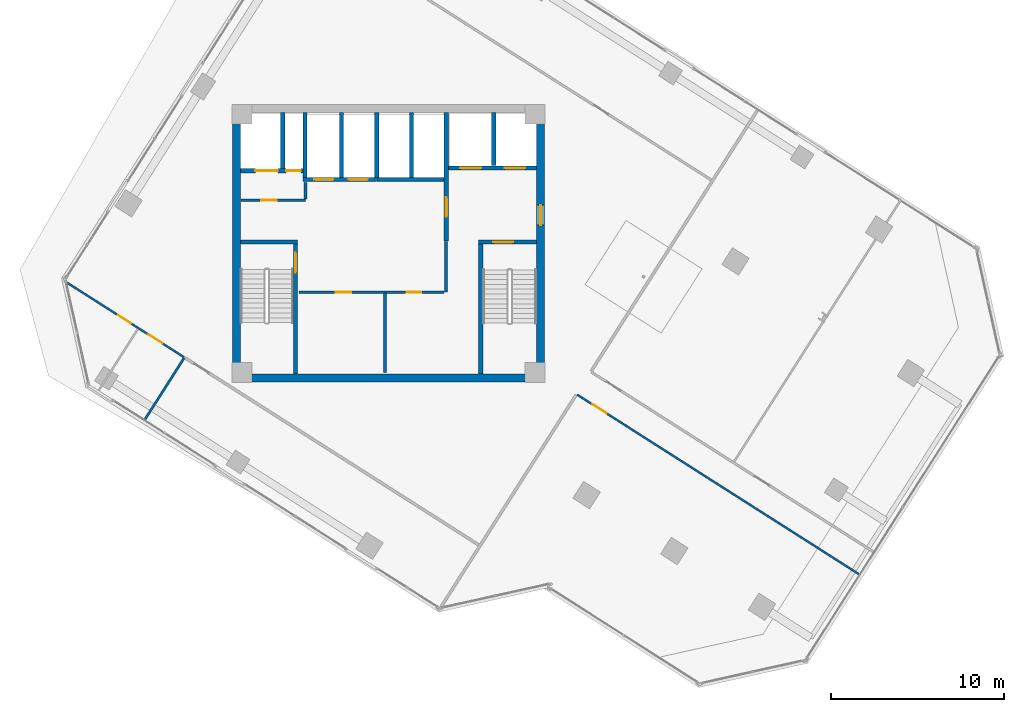
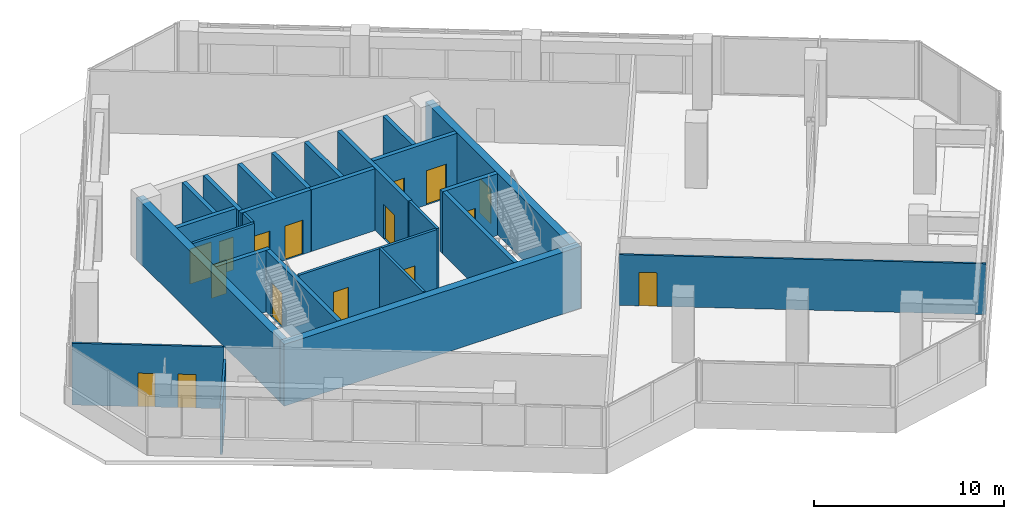
# One storey, part 18 of 23: 26 walls, 16 doors, 16 openings.
"""IFC4 building model written with IfcOpenShell, lengths in metres."""

from ifc_helpers import new_model, si_unit, direction, frame, frame_2d, origin, place, context, subcontext, project, spatial, rectangle, extrude, source, transform, mapped, material, layer, layer_set, type_object, element, fill, save


model = new_model("IFC4")

# Units and contexts
model_context = context("Model", 3, precision=1e-05, world=origin(), true_north=direction((0.0, 1.0)))
body_context = subcontext(model_context, "Body", "Model", "MODEL_VIEW")
ifc_project = project(units=[si_unit("LENGTHUNIT", "METRE"), si_unit("AREAUNIT", "SQUARE_METRE"), si_unit("VOLUMEUNIT", "CUBIC_METRE"), si_unit("PLANEANGLEUNIT", "RADIAN"), si_unit("MASSUNIT", "GRAM", prefix="KILO")], contexts=[model_context])

# Site, building, storey
site_placement = place(None, origin())
site = spatial("IfcSite", under=ifc_project, at=site_placement, CompositionType="ELEMENT")
building_placement = place(site_placement, origin())
building = spatial("IfcBuilding", under=site, at=building_placement, Name="Torre Montelarca", CompositionType="ELEMENT")
storey_placement = place(building_placement, frame((0.0, 0.0, 187.60009765625)))
storey = spatial("IfcBuildingStorey", under=building, at=storey_placement, Name="L42", CompositionType="ELEMENT", Elevation=187.60009765625)

# Wall, opening, door
ifc_material_1 = material(Name="Concrete C40/50", Category="concrete")
ifc_layer_1 = layer(ifc_material_1, 0.25, Name="Concrete C40/50", Category="concrete")
ifc_layer_set_1 = layer_set([ifc_layer_1], Name="Concrete C40/50")
wall_type_1 = type_object("IfcWallType", Name="CW-SHAFT-250", PredefinedType="SHEAR", material=ifc_layer_set_1)
wall_1_placement = place(storey_placement, frame((12.625, 24.4599609375, 0.0), z_axis=(0.0, 0.0, 1.0), x_axis=(0.0, 1.0, 0.0)))
wall_1 = element("IfcWall", 1, at=wall_1_placement, inside=storey, type_object=wall_type_1, Name="L42 Core Shear Wall SH-ST1-E", PredefinedType="SHEAR", context=body_context, shape_type="SweptSolid", body=[
    extrude(rectangle(XDim=7.489990234375, YDim=0.25, at=frame_2d((3.7451171875, 0.0))), origin(), (0.0, 0.0, 1.0), 3.9599609375),
])
opening_1_placement = place(wall_1_placement, frame((5.85009765625, 0.0, 0.0)))
opening_1 = element("IfcOpeningElement", 2, at=opening_1_placement, cuts=wall_1, Name="Opening FD-ST1", PredefinedType="OPENING", context=body_context, shape_type="SweptSolid", body=[
    extrude(rectangle(XDim=1.14990234375, YDim=2.199951171875, at=frame_2d((0.574951171875, 1.10009765625))), frame((0.0, 0.135009765625, 0.0), z_axis=(0.0, -1.0, 0.0), x_axis=(1.0, 0.0, 0.0)), (0.0, 0.0, 1.0), 0.27001953125),
])
ifc_material_2 = material(Name="Galvanized steel fire door", Category="steel")
door_type_1 = type_object("IfcDoorType", Name="DR-STAIR-115", OperationType="NOTDEFINED", PredefinedType="DOOR", material=ifc_material_2)
shared_shape_1 = source(origin(), body_context, "Body", "SweptSolid", [
    extrude(rectangle(XDim=1.14990234375, YDim=2.199951171875, at=frame_2d((0.574951171875, 1.10009765625))), frame((0.0, 0.02490234375, 0.0), z_axis=(0.0, -1.0, 0.0), x_axis=(1.0, 0.0, 0.0)), (0.0, 0.0, 1.0), 0.050048828125),
])
door_1_placement = place(opening_1_placement, origin())
door_1 = element("IfcDoor", 3, at=door_1_placement, inside=storey, type_object=door_type_1, Name="L42 Exit Stair ST1 Fire Door", OperationType="SINGLE_SWING_RIGHT", OverallHeight=2.199951171875, OverallWidth=1.14990234375, PredefinedType="DOOR", context=body_context, shape_type="MappedRepresentation", body=[
    mapped(shared_shape_1, transform((0.0, 0.0, 0.0), scale=1.0)),
])
fill(opening_1, door_1)

# Walls
wall_2_placement = place(storey_placement, frame((9.4599609375, 32.074951171875, 0.0), z_axis=(0.0, 0.0, 1.0), x_axis=(1.0, 0.0, 0.0)))
element("IfcWall", 4, at=wall_2_placement, inside=storey, type_object=wall_type_1, Name="L42 Core Shear Wall SH-ST1-N", PredefinedType="SHEAR", context=body_context, shape_type="SweptSolid", body=[
    extrude(rectangle(XDim=3.2900390625, YDim=0.25, at=frame_2d((1.64501953125, 0.0))), origin(), (0.0, 0.0, 1.0), 3.9599609375),
])
wall_3_placement = place(storey_placement, frame((23.31494140625, 24.4599609375, 0.0), z_axis=(0.0, 0.0, 1.0), x_axis=(0.0, 1.0, 0.0)))
element("IfcWall", 5, at=wall_3_placement, inside=storey, type_object=wall_type_1, Name="L42 Core Shear Wall SH-ST2-W", PredefinedType="SHEAR", context=body_context, shape_type="SweptSolid", body=[
    extrude(rectangle(XDim=7.489990234375, YDim=0.25, at=frame_2d((3.7451171875, 0.0))), origin(), (0.0, 0.0, 1.0), 3.9599609375),
])

# Wall, opening, door
wall_4_placement = place(storey_placement, frame((23.18994140625, 32.074951171875, 0.0), z_axis=(0.0, 0.0, 1.0), x_axis=(1.0, 0.0, 0.0)))
wall_4 = element("IfcWall", 6, at=wall_4_placement, inside=storey, type_object=wall_type_1, Name="L42 Core Shear Wall SH-ST2-N", PredefinedType="SHEAR", context=body_context, shape_type="SweptSolid", body=[
    extrude(rectangle(XDim=3.35009765625, YDim=0.25, at=frame_2d((1.675048828125, 0.0))), origin(), (0.0, 0.0, 1.0), 3.9599609375),
])
opening_2_placement = place(wall_4_placement, frame((0.85009765625, 0.0, 0.0)))
opening_2 = element("IfcOpeningElement", 7, at=opening_2_placement, cuts=wall_4, Name="Opening FD-ST1", PredefinedType="OPENING", context=body_context, shape_type="SweptSolid", body=[
    extrude(rectangle(XDim=1.14990234375, YDim=2.199951171875, at=frame_2d((0.574951171875, 1.10009765625))), frame((0.0, 0.135009765625, 0.0), z_axis=(0.0, -1.0, 0.0), x_axis=(1.0, 0.0, 0.0)), (0.0, 0.0, 1.0), 0.27001953125),
])
door_2_placement = place(opening_2_placement, origin())
door_2 = element("IfcDoor", 8, at=door_2_placement, inside=storey, type_object=door_type_1, Name="L42 Exit Stair ST2 Fire Door", OperationType="SINGLE_SWING_RIGHT", OverallHeight=2.199951171875, OverallWidth=1.14990234375, PredefinedType="DOOR", context=body_context, shape_type="MappedRepresentation", body=[
    mapped(shared_shape_1, transform((0.0, 0.0, 0.0), scale=1.0)),
])
fill(opening_2, door_2)

wall_5_placement = place(storey_placement, frame((21.320068359375, 32.1201171875, 0.0), z_axis=(0.0, 0.0, 1.0), x_axis=(0.0, 1.0, 0.0)))
wall_5 = element("IfcWall", 9, at=wall_5_placement, inside=storey, type_object=wall_type_1, Name="L42 Core Shear Wall SH-FFL-W", PredefinedType="SHEAR", context=body_context, shape_type="SweptSolid", body=[
    extrude(rectangle(XDim=7.419921875, YDim=0.25, at=frame_2d((3.7099609375, 0.0))), origin(), (0.0, 0.0, 1.0), 3.9599609375),
])
opening_3_placement = place(wall_5_placement, frame((1.39990234375, 0.0, 0.0)))
opening_3 = element("IfcOpeningElement", 10, at=opening_3_placement, cuts=wall_5, Name="Opening FD-LB1", PredefinedType="OPENING", context=body_context, shape_type="SweptSolid", body=[
    extrude(rectangle(XDim=1.14990234375, YDim=2.199951171875, at=frame_2d((0.574951171875, 1.10009765625))), frame((0.0, 0.135009765625, 0.0), z_axis=(0.0, -1.0, 0.0), x_axis=(1.0, 0.0, 0.0)), (0.0, 0.0, 1.0), 0.27001953125),
])
ifc_material_3 = material(Name="Acoustic timber-veneered fire door", Category="wood")
door_type_2 = type_object("IfcDoorType", Name="DR-LOBBY-115", OperationType="NOTDEFINED", PredefinedType="DOOR", material=ifc_material_3)
shared_shape_2 = source(origin(), body_context, "Body", "SweptSolid", [
    extrude(rectangle(XDim=1.14990234375, YDim=2.199951171875, at=frame_2d((0.574951171875, 1.10009765625))), frame((0.0, 0.02490234375, 0.0), z_axis=(0.0, -1.0, 0.0), x_axis=(1.0, 0.0, 0.0)), (0.0, 0.0, 1.0), 0.050048828125),
])
door_3_placement = place(opening_3_placement, origin())
door_3 = element("IfcDoor", 11, at=door_3_placement, inside=storey, type_object=door_type_2, Name="L42 Lift Lobby to Firefighting Lobby Smoke Door", OperationType="SINGLE_SWING_LEFT", OverallHeight=2.199951171875, OverallWidth=1.14990234375, PredefinedType="DOOR", context=body_context, shape_type="MappedRepresentation", body=[
    mapped(shared_shape_2, transform((0.0, 0.0, 0.0), scale=1.0)),
])
fill(opening_3, door_3)

# Wall, openings, doors
wall_6_placement = place(storey_placement, frame((9.4599609375, 36.179931640625, 0.0), z_axis=(0.0, 0.0, 1.0), x_axis=(1.0, 0.0, 0.0)))
wall_6 = element("IfcWall", 12, at=wall_6_placement, inside=storey, type_object=wall_type_1, Name="L42 Core Shear Wall SH-SV1-S", PredefinedType="SHEAR", context=body_context, shape_type="SweptSolid", body=[
    extrude(rectangle(XDim=3.7900390625, YDim=0.25, at=frame_2d((1.89501953125, 0.0))), origin(), (0.0, 0.0, 1.0), 3.9599609375),
])
opening_4_placement = place(wall_6_placement, frame((2.6201171875, 0.0, 0.0)))
opening_4 = element("IfcOpeningElement", 13, at=opening_4_placement, cuts=wall_6, Name="Opening FD-085", PredefinedType="OPENING", context=body_context, shape_type="SweptSolid", body=[
    extrude(rectangle(XDim=0.85009765625, YDim=2.10009765625, at=frame_2d((0.425048828125, 1.050048828125))), frame((0.0, 0.135009765625, 0.0), z_axis=(0.0, -1.0, 0.0), x_axis=(1.0, 0.0, 0.0)), (0.0, 0.0, 1.0), 0.27001953125),
])
opening_5_placement = place(wall_6_placement, frame((0.85009765625, 0.0, 0.0)))
opening_5 = element("IfcOpeningElement", 14, at=opening_5_placement, cuts=wall_6, Name="Opening LD-130", PredefinedType="OPENING", context=body_context, shape_type="SweptSolid", body=[
    extrude(rectangle(XDim=1.300048828125, YDim=2.25, at=frame_2d((0.64990234375, 1.125))), frame((0.0, 0.135009765625, 0.0), z_axis=(0.0, -1.0, 0.0), x_axis=(1.0, 0.0, 0.0)), (0.0, 0.0, 1.0), 0.27001953125),
])
ifc_material_4 = material(Name="Steel riser access fire door", Category="steel")
door_type_3 = type_object("IfcDoorType", Name="DR-RISER-085", OperationType="NOTDEFINED", PredefinedType="DOOR", material=ifc_material_4)
shared_shape_3 = source(origin(), body_context, "Body", "SweptSolid", [
    extrude(rectangle(XDim=0.85009765625, YDim=2.10009765625, at=frame_2d((0.425048828125, 1.050048828125))), frame((0.0, 0.02490234375, 0.0), z_axis=(0.0, -1.0, 0.0), x_axis=(1.0, 0.0, 0.0)), (0.0, 0.0, 1.0), 0.050048828125),
])
door_4_placement = place(opening_4_placement, origin())
door_4 = element("IfcDoor", 15, at=door_4_placement, inside=storey, type_object=door_type_3, Name="L42 Electrical Riser Shaft Access Door", OperationType="SINGLE_SWING_RIGHT", OverallHeight=2.10009765625, OverallWidth=0.85009765625, PredefinedType="DOOR", context=body_context, shape_type="MappedRepresentation", body=[
    mapped(shared_shape_3, transform((0.0, 0.0, 0.0), scale=1.0)),
])
fill(opening_4, door_4)
ifc_material_5 = material(Name="Brushed stainless steel AISI 316", Category="steel")
door_type_4 = type_object("IfcDoorType", Name="DR-LIFT-130", OperationType="SLIDING_TO_LEFT", PredefinedType="DOOR", material=ifc_material_5)
shared_shape_4 = source(origin(), body_context, "Body", "SweptSolid", [
    extrude(rectangle(XDim=1.300048828125, YDim=2.25, at=frame_2d((0.64990234375, 1.125))), frame((0.0, 0.02490234375, 0.0), z_axis=(0.0, -1.0, 0.0), x_axis=(1.0, 0.0, 0.0)), (0.0, 0.0, 1.0), 0.050048828125),
])
door_5_placement = place(opening_5_placement, origin())
door_5 = element("IfcDoor", 16, at=door_5_placement, inside=storey, type_object=door_type_4, Name="L42 Lift Landing Sliding Door SV-1", OperationType="SLIDING_TO_LEFT", OverallHeight=2.25, OverallWidth=1.300048828125, PredefinedType="DOOR", context=body_context, shape_type="MappedRepresentation", body=[
    mapped(shared_shape_4, transform((0.0, 0.0, 0.0), scale=1.0)),
])
fill(opening_5, door_5)

# Wall
wall_7_placement = place(storey_placement, frame((11.89990234375, 36.31005859375, 0.0), z_axis=(0.0, 0.0, 1.0), x_axis=(0.0, 1.0, 0.0)))
element("IfcWall", 17, at=wall_7_placement, inside=storey, type_object=wall_type_1, Name="L42 Core Shear Wall SH-SV1-E", PredefinedType="SHEAR", context=body_context, shape_type="SweptSolid", body=[
    extrude(rectangle(XDim=3.22998046875, YDim=0.25, at=frame_2d((1.614990234375, 0.0))), origin(), (0.0, 0.0, 1.0), 3.9599609375),
])

# Wall, openings, doors
wall_8_placement = place(storey_placement, frame((21.449951171875, 36.35009765625, 0.0), z_axis=(0.0, 0.0, 1.0), x_axis=(1.0, 0.0, 0.0)))
wall_8 = element("IfcWall", 18, at=wall_8_placement, inside=storey, type_object=wall_type_1, Name="L42 Core Shear Wall SH-FF-S", PredefinedType="SHEAR", context=body_context, shape_type="SweptSolid", body=[
    extrude(rectangle(XDim=5.090087890625, YDim=0.25, at=frame_2d((2.544921875, 0.0))), origin(), (0.0, 0.0, 1.0), 3.9599609375),
])
opening_6_placement = place(wall_8_placement, frame((0.699951171875, 0.0, 0.0)))
opening_6 = element("IfcOpeningElement", 19, at=opening_6_placement, cuts=wall_8, Name="Opening LD-120", PredefinedType="OPENING", context=body_context, shape_type="SweptSolid", body=[
    extrude(rectangle(XDim=1.199951171875, YDim=2.199951171875, at=frame_2d((0.60009765625, 1.10009765625))), frame((0.0, 0.135009765625, 0.0), z_axis=(0.0, -1.0, 0.0), x_axis=(1.0, 0.0, 0.0)), (0.0, 0.0, 1.0), 0.27001953125),
])
opening_7_placement = place(wall_8_placement, frame((3.25, 0.0, 0.0)))
opening_7 = element("IfcOpeningElement", 20, at=opening_7_placement, cuts=wall_8, Name="Opening LD-120", PredefinedType="OPENING", context=body_context, shape_type="SweptSolid", body=[
    extrude(rectangle(XDim=1.199951171875, YDim=2.199951171875, at=frame_2d((0.60009765625, 1.10009765625))), frame((0.0, 0.135009765625, 0.0), z_axis=(0.0, -1.0, 0.0), x_axis=(1.0, 0.0, 0.0)), (0.0, 0.0, 1.0), 0.27001953125),
])
door_type_5 = type_object("IfcDoorType", Name="DR-LIFT-120", OperationType="SLIDING_TO_RIGHT", PredefinedType="DOOR", material=ifc_material_5)
shared_shape_5 = source(origin(), body_context, "Body", "SweptSolid", [
    extrude(rectangle(XDim=1.199951171875, YDim=2.199951171875, at=frame_2d((0.60009765625, 1.10009765625))), frame((0.0, 0.02490234375, 0.0), z_axis=(0.0, -1.0, 0.0), x_axis=(1.0, 0.0, 0.0)), (0.0, 0.0, 1.0), 0.050048828125),
])
door_6_placement = place(opening_6_placement, origin())
door_6 = element("IfcDoor", 21, at=door_6_placement, inside=storey, type_object=door_type_5, Name="L42 Lift Landing Sliding Door FF-1", OperationType="SLIDING_TO_LEFT", OverallHeight=2.199951171875, OverallWidth=1.199951171875, PredefinedType="DOOR", context=body_context, shape_type="MappedRepresentation", body=[
    mapped(shared_shape_5, transform((0.0, 0.0, 0.0), scale=1.0)),
])
fill(opening_6, door_6)
door_7_placement = place(opening_7_placement, origin())
door_7 = element("IfcDoor", 22, at=door_7_placement, inside=storey, type_object=door_type_5, Name="L42 Lift Landing Sliding Door FF-2", OperationType="SLIDING_TO_RIGHT", OverallHeight=2.199951171875, OverallWidth=1.199951171875, PredefinedType="DOOR", context=body_context, shape_type="MappedRepresentation", body=[
    mapped(shared_shape_5, transform((0.0, 0.0, 0.0), scale=1.0)),
])
fill(opening_7, door_7)

# Wall
wall_9_placement = place(storey_placement, frame((24.080078125, 36.47998046875, 0.0), z_axis=(0.0, 0.0, 1.0), x_axis=(0.0, 1.0, 0.0)))
element("IfcWall", 23, at=wall_9_placement, inside=storey, type_object=wall_type_1, Name="L42 Core Shear Wall SH-FF-M", PredefinedType="SHEAR", context=body_context, shape_type="SweptSolid", body=[
    extrude(rectangle(XDim=3.06005859375, YDim=0.25, at=frame_2d((1.530029296875, 0.0))), origin(), (0.0, 0.0, 1.0), 3.9599609375),
])

# Wall, openings, doors
wall_10_placement = place(storey_placement, frame((13.06005859375, 35.679931640625, 0.0), z_axis=(0.0, 0.0, 1.0), x_axis=(1.0, 0.0, 0.0)))
wall_10 = element("IfcWall", 24, at=wall_10_placement, inside=storey, type_object=wall_type_1, Name="L42 Core Shear Wall SH-PLM-S", PredefinedType="SHEAR", context=body_context, shape_type="SweptSolid", body=[
    extrude(rectangle(XDim=4.25, YDim=0.25, at=frame_2d((2.125, 0.0))), origin(), (0.0, 0.0, 1.0), 3.9599609375),
])
opening_8_placement = place(wall_10_placement, frame((0.64990234375, 0.0, 0.0)))
opening_8 = element("IfcOpeningElement", 25, at=opening_8_placement, cuts=wall_10, Name="Opening LD-110", PredefinedType="OPENING", context=body_context, shape_type="SweptSolid", body=[
    extrude(rectangle(XDim=1.10009765625, YDim=2.199951171875, at=frame_2d((0.550048828125, 1.10009765625))), frame((0.0, 0.135009765625, 0.0), z_axis=(0.0, -1.0, 0.0), x_axis=(1.0, 0.0, 0.0)), (0.0, 0.0, 1.0), 0.27001953125),
])
opening_9_placement = place(wall_10_placement, frame((2.64990234375, 0.0, 0.0)))
opening_9 = element("IfcOpeningElement", 26, at=opening_9_placement, cuts=wall_10, Name="Opening LD-110", PredefinedType="OPENING", context=body_context, shape_type="SweptSolid", body=[
    extrude(rectangle(XDim=1.10009765625, YDim=2.199951171875, at=frame_2d((0.550048828125, 1.10009765625))), frame((0.0, 0.135009765625, 0.0), z_axis=(0.0, -1.0, 0.0), x_axis=(1.0, 0.0, 0.0)), (0.0, 0.0, 1.0), 0.27001953125),
])
door_type_6 = type_object("IfcDoorType", Name="DR-LIFT-110", OperationType="SLIDING_TO_LEFT", PredefinedType="DOOR", material=ifc_material_5)
shared_shape_6 = source(origin(), body_context, "Body", "SweptSolid", [
    extrude(rectangle(XDim=1.10009765625, YDim=2.199951171875, at=frame_2d((0.550048828125, 1.10009765625))), frame((0.0, 0.02490234375, 0.0), z_axis=(0.0, -1.0, 0.0), x_axis=(1.0, 0.0, 0.0)), (0.0, 0.0, 1.0), 0.050048828125),
])
door_8_placement = place(opening_8_placement, origin())
door_8 = element("IfcDoor", 27, at=door_8_placement, inside=storey, type_object=door_type_6, Name="L42 Lift Landing Sliding Door PL-M1", OperationType="SLIDING_TO_LEFT", OverallHeight=2.199951171875, OverallWidth=1.10009765625, PredefinedType="DOOR", context=body_context, shape_type="MappedRepresentation", body=[
    mapped(shared_shape_6, transform((0.0, 0.0, 0.0), scale=1.0)),
])
fill(opening_8, door_8)
door_9_placement = place(opening_9_placement, origin())
door_9 = element("IfcDoor", 28, at=door_9_placement, inside=storey, type_object=door_type_6, Name="L42 Lift Landing Sliding Door PL-M2", OperationType="SLIDING_TO_RIGHT", OverallHeight=2.199951171875, OverallWidth=1.10009765625, PredefinedType="DOOR", context=body_context, shape_type="MappedRepresentation", body=[
    mapped(shared_shape_6, transform((0.0, 0.0, 0.0), scale=1.0)),
])
fill(opening_9, door_9)

# Walls
for number, where, z_axis, x_axis, name in (
    (29, (13.179931640625, 35.81005859375, 0.0), (0.0, 0.0, 1.0), (0.0, 1.0, 0.0), "L42 Core Shear Wall SH-PLM-W"),
    (30, (15.280029296875, 35.81005859375, 0.0), (0.0, 0.0, 1.0), (0.0, 1.0, 0.0), "L42 Core Shear Wall SH-PLM-M"),
):
    element("IfcWall", number, at=place(storey_placement, frame(where, z_axis=z_axis, x_axis=x_axis)), inside=storey, type_object=wall_type_1, Name=name, PredefinedType="SHEAR", context=body_context, shape_type="SweptSolid", body=[
        extrude(rectangle(XDim=3.72998046875, YDim=0.25, at=frame_2d((1.864990234375, 0.0))), origin(), (0.0, 0.0, 1.0), 3.9599609375),
    ])
wall_11_placement = place(storey_placement, frame((17.320068359375, 35.679931640625, 0.0), z_axis=(0.0, 0.0, 1.0), x_axis=(1.0, 0.0, 0.0)))
element("IfcWall", 31, at=wall_11_placement, inside=storey, type_object=wall_type_1, Name="L42 Core Shear Wall SH-PLH-S", PredefinedType="SHEAR", context=body_context, shape_type="SweptSolid", body=[
    extrude(rectangle(XDim=3.869873046875, YDim=0.25, at=frame_2d((1.93505859375, 0.0))), origin(), (0.0, 0.0, 1.0), 3.9599609375),
])
for number, where, z_axis, x_axis, name in (
    (32, (17.320068359375, 35.81005859375, 0.0), (0.0, 0.0, 1.0), (0.0, 1.0, 0.0), "L42 Core Shear Wall SH-PLH-W"),
    (33, (19.320068359375, 35.81005859375, 0.0), (0.0, 0.0, 1.0), (0.0, 1.0, 0.0), "L42 Core Shear Wall SH-PLH-M"),
):
    element("IfcWall", number, at=place(storey_placement, frame(where, z_axis=z_axis, x_axis=x_axis)), inside=storey, type_object=wall_type_1, Name=name, PredefinedType="SHEAR", context=body_context, shape_type="SweptSolid", body=[
        extrude(rectangle(XDim=3.72998046875, YDim=0.25, at=frame_2d((1.864990234375, 0.0))), origin(), (0.0, 0.0, 1.0), 3.9599609375),
    ])
ifc_material_6 = material(Name="Concrete C55/67", Category="concrete")
ifc_layer_2 = layer(ifc_material_6, 0.449951171875, Name="Concrete C55/67", Category="concrete")
ifc_layer_set_2 = layer_set([ifc_layer_2], Name="Concrete C55/67")
wall_type_2 = type_object("IfcWallType", Name="CW-SHEAR-450", PredefinedType="SHEAR", material=ifc_layer_set_2)
wall_12_placement = place(storey_placement, frame((9.22509765625, 24.449951171875, 0.0), z_axis=(0.0, 0.0, 1.0), x_axis=(0.0, 1.0, 0.0)))
element("IfcWall", 34, at=wall_12_placement, inside=storey, type_object=wall_type_2, Name="L42 Core Shear Wall CW-W", PredefinedType="SHEAR", context=body_context, shape_type="SweptSolid", body=[
    extrude(rectangle(XDim=15.10009765625, YDim=0.449951171875, at=frame_2d((7.550048828125, 0.0))), origin(), (0.0, 0.0, 1.0), 3.9599609375),
])

# Wall, opening, door
wall_13_placement = place(storey_placement, frame((26.77490234375, 24.449951171875, 0.0), z_axis=(0.0, 0.0, 1.0), x_axis=(0.0, 1.0, 0.0)))
wall_13 = element("IfcWall", 35, at=wall_13_placement, inside=storey, type_object=wall_type_2, Name="L42 Core Shear Wall CW-E", PredefinedType="SHEAR", context=body_context, shape_type="SweptSolid", body=[
    extrude(rectangle(XDim=15.10009765625, YDim=0.449951171875, at=frame_2d((7.550048828125, 0.0))), origin(), (0.0, 0.0, 1.0), 3.9599609375),
])
opening_10_placement = place(wall_13_placement, frame((8.60009765625, 0.0, 0.0)))
opening_10 = element("IfcOpeningElement", 36, at=opening_10_placement, cuts=wall_13, Name="Opening FD-LB1", PredefinedType="OPENING", context=body_context, shape_type="SweptSolid", body=[
    extrude(rectangle(XDim=1.14990234375, YDim=2.199951171875, at=frame_2d((0.574951171875, 1.10009765625))), frame((0.0, 0.23486328125, 0.0), z_axis=(0.0, -1.0, 0.0), x_axis=(1.0, 0.0, 0.0)), (0.0, 0.0, 1.0), 0.469970703125),
])
door_10_placement = place(opening_10_placement, origin())
door_10 = element("IfcDoor", 37, at=door_10_placement, inside=storey, type_object=door_type_2, Name="L42 Firefighting Lift Lobby Corridor Fire Door", OperationType="SINGLE_SWING_RIGHT", OverallHeight=2.199951171875, OverallWidth=1.14990234375, PredefinedType="DOOR", context=body_context, shape_type="MappedRepresentation", body=[
    mapped(shared_shape_2, transform((0.0, 0.0, 0.0), scale=1.0)),
])
fill(opening_10, door_10)

# Wall
wall_14_placement = place(storey_placement, frame((9.0, 24.22509765625, 0.0), z_axis=(0.0, 0.0, 1.0), x_axis=(1.0, 0.0, 0.0)))
element("IfcWall", 38, at=wall_14_placement, inside=storey, type_object=wall_type_2, Name="L42 Core Shear Wall CW-S1", PredefinedType="SHEAR", context=body_context, shape_type="SweptSolid", body=[
    extrude(rectangle(XDim=18.0, YDim=0.449951171875, at=frame_2d((9.0, 0.0))), origin(), (0.0, 0.0, 1.0), 3.9599609375),
])

# Wall, opening, door
ifc_material_7 = material(Name="Gypsum plasterboard on steel stud", Category="steel")
ifc_layer_3 = layer(ifc_material_7, 0.159912109375, Name="Gypsum plasterboard on steel stud", Category="steel")
ifc_layer_set_3 = layer_set([ifc_layer_3], Name="Gypsum plasterboard on steel stud")
wall_type_3 = type_object("IfcWallType", Name="PW-FIRE-160", PredefinedType="PARTITIONING", material=ifc_layer_set_3)
wall_15_placement = place(storey_placement, frame((9.489990234375, 34.47998046875, 0.0), z_axis=(0.0, 0.0, 1.0), x_axis=(1.0, 0.0, 0.0)))
wall_15 = element("IfcWall", 39, at=wall_15_placement, inside=storey, type_object=wall_type_3, Name="L42 Interior Partition CW-L42-SVS", PredefinedType="PARTITIONING", context=body_context, shape_type="SweptSolid", body=[
    extrude(rectangle(XDim=3.699951171875, YDim=0.159912109375, at=frame_2d((1.85009765625, 0.0))), origin(), (0.0, 0.0, 1.0), 3.9599609375),
])
opening_11_placement = place(wall_15_placement, frame((1.14990234375, 0.0, 0.0)))
opening_11 = element("IfcOpeningElement", 40, at=opening_11_placement, cuts=wall_15, Name="Opening FD-090", PredefinedType="OPENING", context=body_context, shape_type="SweptSolid", body=[
    extrude(rectangle(XDim=0.89990234375, YDim=2.14990234375, at=frame_2d((0.449951171875, 1.074951171875))), frame((0.0, 0.08984375, 0.0), z_axis=(0.0, -1.0, 0.0), x_axis=(1.0, 0.0, 0.0)), (0.0, 0.0, 1.0), 0.179931640625),
])
ifc_material_8 = material(Name="Steel service fire door", Category="steel")
door_type_7 = type_object("IfcDoorType", Name="DR-FIRE-090", OperationType="NOTDEFINED", PredefinedType="DOOR", material=ifc_material_8)
shared_shape_7 = source(origin(), body_context, "Body", "SweptSolid", [
    extrude(rectangle(XDim=0.89990234375, YDim=2.14990234375, at=frame_2d((0.449951171875, 1.074951171875))), frame((0.0, 0.02490234375, 0.0), z_axis=(0.0, -1.0, 0.0), x_axis=(1.0, 0.0, 0.0)), (0.0, 0.0, 1.0), 0.050048828125),
])
door_11_placement = place(opening_11_placement, origin())
door_11 = element("IfcDoor", 41, at=door_11_placement, inside=storey, type_object=door_type_7, Name="L42 Interior Door 01", OperationType="SINGLE_SWING_RIGHT", OverallHeight=2.14990234375, OverallWidth=0.89990234375, PredefinedType="DOOR", context=body_context, shape_type="MappedRepresentation", body=[
    mapped(shared_shape_7, transform((0.0, 0.0, 0.0), scale=1.0)),
])
fill(opening_11, door_11)

# Wall
wall_16_placement = place(storey_placement, frame((13.199951171875, 34.570068359375, 0.0), z_axis=(0.0, 0.0, 1.0), x_axis=(0.0, 1.0, 0.0)))
element("IfcWall", 42, at=wall_16_placement, inside=storey, type_object=wall_type_3, Name="L42 Interior Partition CW-L42-SVE", PredefinedType="PARTITIONING", context=body_context, shape_type="SweptSolid", body=[
    extrude(rectangle(XDim=0.93994140625, YDim=0.159912109375, at=frame_2d((0.469970703125, 0.0))), origin(), (0.0, 0.0, 1.0), 3.9599609375),
])

# Wall, openings, doors
wall_17_placement = place(storey_placement, frame((12.840087890625, 29.179931640625, 0.0), z_axis=(0.0, 0.0, 1.0), x_axis=(1.0, 0.0, 0.0)))
wall_17 = element("IfcWall", 43, at=wall_17_placement, inside=storey, type_object=wall_type_3, Name="L42 Interior Partition CW-L42-FRDN", PredefinedType="PARTITIONING", context=body_context, shape_type="SweptSolid", body=[
    extrude(rectangle(XDim=8.369873046875, YDim=0.159912109375, at=frame_2d((4.18505859375, 0.0))), origin(), (0.0, 0.0, 1.0), 3.9599609375),
])
opening_12_placement = place(wall_17_placement, frame((2.10009765625, 0.0, 0.0)))
opening_12 = element("IfcOpeningElement", 44, at=opening_12_placement, cuts=wall_17, Name="Opening FD-090", PredefinedType="OPENING", context=body_context, shape_type="SweptSolid", body=[
    extrude(rectangle(XDim=0.89990234375, YDim=2.14990234375, at=frame_2d((0.449951171875, 1.074951171875))), frame((0.0, 0.08984375, 0.0), z_axis=(0.0, -1.0, 0.0), x_axis=(1.0, 0.0, 0.0)), (0.0, 0.0, 1.0), 0.179931640625),
])
opening_13_placement = place(wall_17_placement, frame((6.199951171875, 0.0, 0.0)))
opening_13 = element("IfcOpeningElement", 45, at=opening_13_placement, cuts=wall_17, Name="Opening FD-085", PredefinedType="OPENING", context=body_context, shape_type="SweptSolid", body=[
    extrude(rectangle(XDim=0.85009765625, YDim=2.10009765625, at=frame_2d((0.425048828125, 1.050048828125))), frame((0.0, 0.08984375, 0.0), z_axis=(0.0, -1.0, 0.0), x_axis=(1.0, 0.0, 0.0)), (0.0, 0.0, 1.0), 0.179931640625),
])
door_12_placement = place(opening_13_placement, origin())
door_12 = element("IfcDoor", 46, at=door_12_placement, inside=storey, type_object=door_type_3, Name="L42 Interior Door 03", OperationType="SINGLE_SWING_LEFT", OverallHeight=2.10009765625, OverallWidth=0.85009765625, PredefinedType="DOOR", context=body_context, shape_type="MappedRepresentation", body=[
    mapped(shared_shape_3, transform((0.0, 0.0, 0.0), scale=1.0)),
])
fill(opening_13, door_12)
door_13_placement = place(opening_12_placement, origin())
door_13 = element("IfcDoor", 47, at=door_13_placement, inside=storey, type_object=door_type_7, Name="L42 Interior Door 02", OperationType="SINGLE_SWING_RIGHT", OverallHeight=2.14990234375, OverallWidth=0.89990234375, PredefinedType="DOOR", context=body_context, shape_type="MappedRepresentation", body=[
    mapped(shared_shape_7, transform((0.0, 0.0, 0.0), scale=1.0)),
])
fill(opening_12, door_13)

# Walls
wall_18_placement = place(storey_placement, frame((17.800048828125, 24.5400390625, 0.0), z_axis=(0.0, 0.0, 1.0), x_axis=(0.0, 1.0, 0.0)))
element("IfcWall", 48, at=wall_18_placement, inside=storey, type_object=wall_type_3, Name="L42 Interior Partition CW-L42-FRD1", PredefinedType="PARTITIONING", context=body_context, shape_type="SweptSolid", body=[
    extrude(rectangle(XDim=4.599853515625, YDim=0.159912109375, at=frame_2d((2.2998046875, 0.0))), origin(), (0.0, 0.0, 1.0), 3.9599609375),
])
wall_19_placement = place(storey_placement, frame((21.320068359375, 29.18994140625, 0.0), z_axis=(0.0, 0.0, 1.0), x_axis=(0.0, 1.0, 0.0)))
element("IfcWall", 49, at=wall_19_placement, inside=storey, type_object=wall_type_3, Name="L42 Interior Partition CW-L42-FRE", PredefinedType="PARTITIONING", context=body_context, shape_type="SweptSolid", body=[
    extrude(rectangle(XDim=2.920166015625, YDim=0.159912109375, at=frame_2d((1.4599609375, 0.0))), origin(), (0.0, 0.0, 1.0), 3.9599609375),
])

# Wall, openings, doors
ifc_layer_4 = layer(ifc_material_7, 0.114990234375, Name="Gypsum plasterboard on steel stud", Category="steel")
ifc_layer_set_4 = layer_set([ifc_layer_4], Name="Gypsum plasterboard on steel stud")
wall_type_4 = type_object("IfcWallType", Name="PW-PART-115", PredefinedType="PARTITIONING", material=ifc_layer_set_4)
wall_20_placement = place(storey_placement, frame((-0.56689453125, 29.731201171875, 0.0), z_axis=(0.0, 0.0, 1.0), x_axis=(0.843398817975, -0.537288036195, 0.0)))
wall_20 = element("IfcWall", 50, at=wall_20_placement, inside=storey, type_object=wall_type_4, Name="L42 Interior Partition W-L42-WCN", PredefinedType="PARTITIONING", context=body_context, shape_type="SweptSolid", body=[
    extrude(rectangle(XDim=8.001953125, YDim=0.114990234375, at=frame_2d((4.0009765625, 0.0))), origin(), (0.0, 0.0, 1.0), 3.9599609375),
])
opening_14_placement = place(wall_20_placement, frame((3.47998046875, 0.0, 0.0)))
opening_14 = element("IfcOpeningElement", 51, at=opening_14_placement, cuts=wall_20, Name="Opening ID-090", PredefinedType="OPENING", context=body_context, shape_type="SweptSolid", body=[
    extrude(rectangle(XDim=0.89990234375, YDim=2.14990234375, at=frame_2d((0.449951171875, 1.074951171875))), frame((0.0, 0.0673828125, 0.0), z_axis=(0.0, -1.0, 0.0), x_axis=(1.0, 0.0, 0.0)), (0.0, 0.0, 1.0), 0.135009765625),
])
opening_15_placement = place(wall_20_placement, frame((5.580078125, 0.0, 0.0)))
opening_15 = element("IfcOpeningElement", 52, at=opening_15_placement, cuts=wall_20, Name="Opening ID-095", PredefinedType="OPENING", context=body_context, shape_type="SweptSolid", body=[
    extrude(rectangle(XDim=0.949951171875, YDim=2.14990234375, at=frame_2d((0.47509765625, 1.074951171875))), frame((0.0, 0.0673828125, 0.0), z_axis=(0.0, -1.0, 0.0), x_axis=(1.0, 0.0, 0.0)), (0.0, 0.0, 1.0), 0.135009765625),
])
ifc_material_9 = material(Name="Hardwood acoustic timber veneer", Category="wood")
door_type_8 = type_object("IfcDoorType", Name="DR-INT-090", OperationType="NOTDEFINED", PredefinedType="DOOR", material=ifc_material_9)
shared_shape_8 = source(origin(), body_context, "Body", "SweptSolid", [
    extrude(rectangle(XDim=0.89990234375, YDim=2.14990234375, at=frame_2d((0.449951171875, 1.074951171875))), frame((0.0, 0.02490234375, 0.0), z_axis=(0.0, -1.0, 0.0), x_axis=(1.0, 0.0, 0.0)), (0.0, 0.0, 1.0), 0.050048828125),
])
door_14_placement = place(opening_14_placement, origin())
door_14 = element("IfcDoor", 53, at=door_14_placement, inside=storey, type_object=door_type_8, Name="L42 Interior Door 04", OperationType="SINGLE_SWING_LEFT", OverallHeight=2.14990234375, OverallWidth=0.89990234375, PredefinedType="DOOR", context=body_context, shape_type="MappedRepresentation", body=[
    mapped(shared_shape_8, transform((0.0, 0.0, 0.0), scale=1.0)),
])
fill(opening_14, door_14)
door_type_9 = type_object("IfcDoorType", Name="DR-INT-095", OperationType="NOTDEFINED", PredefinedType="DOOR", material=ifc_material_9)
shared_shape_9 = source(origin(), body_context, "Body", "SweptSolid", [
    extrude(rectangle(XDim=0.949951171875, YDim=2.14990234375, at=frame_2d((0.47509765625, 1.074951171875))), frame((0.0, 0.02490234375, 0.0), z_axis=(0.0, -1.0, 0.0), x_axis=(1.0, 0.0, 0.0)), (0.0, 0.0, 1.0), 0.050048828125),
])
door_15_placement = place(opening_15_placement, origin())
door_15 = element("IfcDoor", 54, at=door_15_placement, inside=storey, type_object=door_type_9, Name="L42 Interior Door 05", OperationType="SINGLE_SWING_RIGHT", OverallHeight=2.14990234375, OverallWidth=0.949951171875, PredefinedType="DOOR", context=body_context, shape_type="MappedRepresentation", body=[
    mapped(shared_shape_9, transform((0.0, 0.0, 0.0), scale=1.0)),
])
fill(opening_15, door_15)

# Wall, opening, door
wall_21_placement = place(storey_placement, frame((28.883056640625, 23.26513671875, 0.0), z_axis=(0.0, 0.0, 1.0), x_axis=(0.843390003721, -0.537301871971, 0.0)))
wall_21 = element("IfcWall", 55, at=wall_21_placement, inside=storey, type_object=wall_type_4, Name="L42 Interior Partition W-L42-SE-N", PredefinedType="PARTITIONING", context=body_context, shape_type="SweptSolid", body=[
    extrude(rectangle(XDim=19.2998046875, YDim=0.114990234375, at=frame_2d((9.64990234375, 0.0))), origin(), (0.0, 0.0, 1.0), 3.25244140625),
])
opening_16_placement = place(wall_21_placement, frame((1.050048828125, 0.0, 0.0)))
opening_16 = element("IfcOpeningElement", 56, at=opening_16_placement, cuts=wall_21, Name="Opening ID-095", PredefinedType="OPENING", context=body_context, shape_type="SweptSolid", body=[
    extrude(rectangle(XDim=0.949951171875, YDim=2.14990234375, at=frame_2d((0.47509765625, 1.074951171875))), frame((0.0, 0.0673828125, 0.0), z_axis=(0.0, -1.0, 0.0), x_axis=(1.0, 0.0, 0.0)), (0.0, 0.0, 1.0), 0.135009765625),
])
door_16_placement = place(opening_16_placement, origin())
door_16 = element("IfcDoor", 57, at=door_16_placement, inside=storey, type_object=door_type_9, Name="L42 Interior Door 10", OperationType="SINGLE_SWING_LEFT", OverallHeight=2.14990234375, OverallWidth=0.949951171875, PredefinedType="DOOR", context=body_context, shape_type="MappedRepresentation", body=[
    mapped(shared_shape_9, transform((0.0, 0.0, 0.0), scale=1.0)),
])
fill(opening_16, door_16)

# Wall
ifc_layer_5 = layer(ifc_material_7, 0.135009765625, Name="Gypsum plasterboard on steel stud", Category="steel")
ifc_layer_set_5 = layer_set([ifc_layer_5], Name="Gypsum plasterboard on steel stud")
wall_type_5 = type_object("IfcWallType", Name="PW-PART-135", PredefinedType="PARTITIONING", material=ifc_layer_set_5)
wall_22_placement = place(storey_placement, frame((3.93212890625, 21.82568359375, 0.0), z_axis=(0.0, 0.0, 1.0), x_axis=(0.537250649862, 0.84342263381, 0.0)))
element("IfcWall", 58, at=wall_22_placement, inside=storey, type_object=wall_type_5, Name="L42 Interior Partition W-L42-SWCDIV", PredefinedType="PARTITIONING", context=body_context, shape_type="SweptSolid", body=[
    extrude(rectangle(XDim=4.210205078125, YDim=0.135009765625, at=frame_2d((2.10498046875, 0.0))), origin(), (0.0, 0.0, 1.0), 3.19482421875),
])

save(model, "model.ifc")
